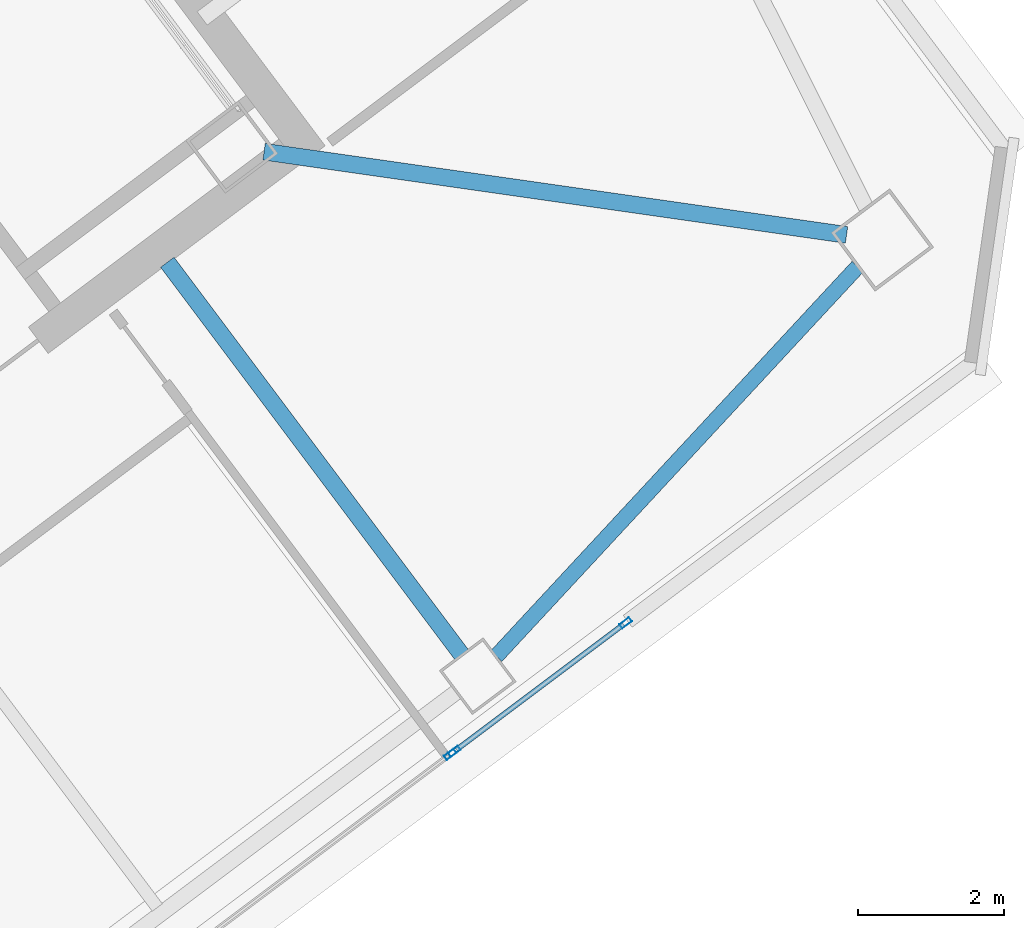
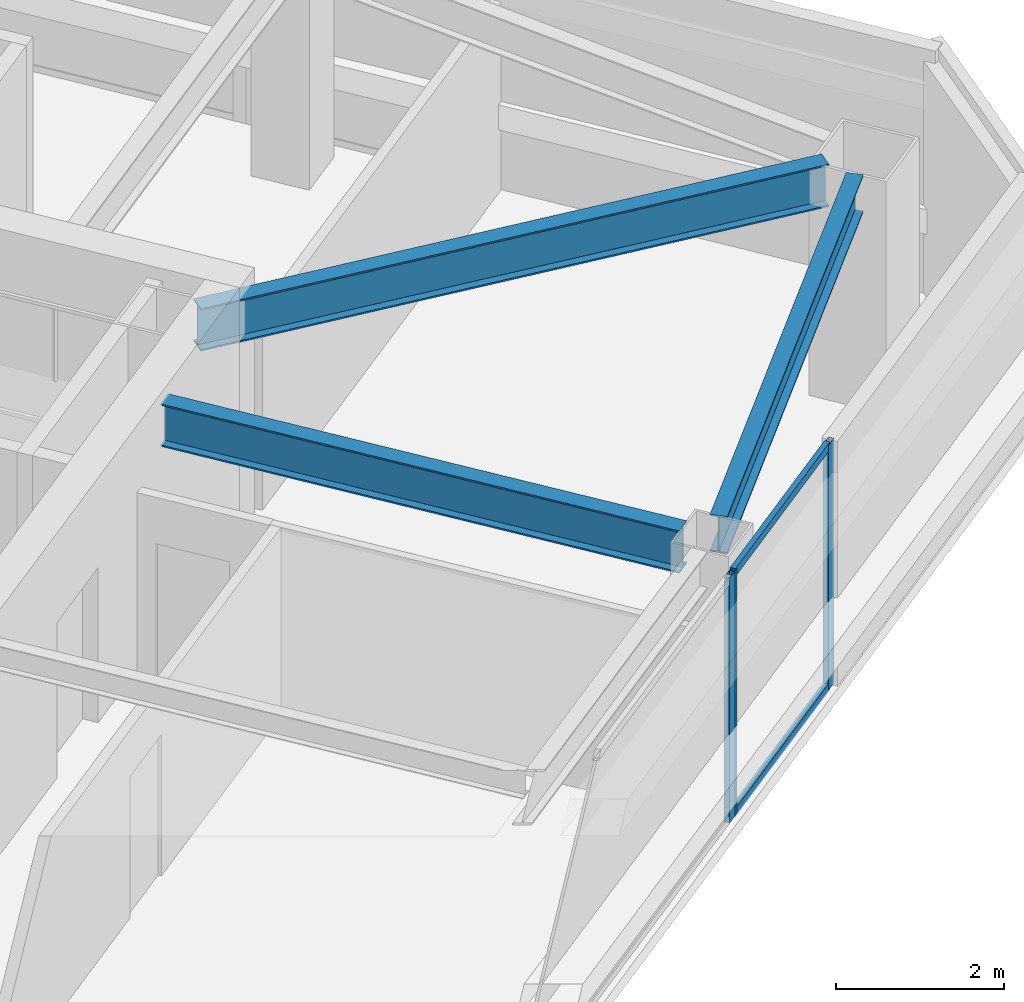
# One storey, part 23 of 40: 5 members, 3 beams, 2 elements without a shape of their own.
"""IFC4 building model written with IfcOpenShell, lengths in metres."""

import ifcopenshell
import ifcopenshell.guid

model = None  # the IFC model being written
_history = None  # IfcOwnerHistory: only IFC2X3 demands one
_inside = {}  # id of a spatial element -> (the spatial element, [elements in it])
_under = {}  # id of a project, library or spatial element -> (it, [spatial elements below it])
_declared = {}  # id of a project -> (the project, [libraries it declares])
_typed = {}  # id of a type object -> (the type object, [elements of that type])
_made_of = {}  # id of a material, layer set ... -> (it, [elements and type objects made of it])


def new_model(schema):
    """Start an empty IFC model of exactly this schema.

    Asked for "IFC4X3", IfcOpenShell would pick the latest addendum, in which some entities
    have other attributes; the version numbers below select the first issue.
    IFC2X3 requires an IfcOwnerHistory on every rooted entity: one is made here for all.
    """
    global model, _history
    if schema == "IFC4X3":
        model = ifcopenshell.file(schema_version=(4, 3, 0, 0))
    else:
        model = ifcopenshell.file(schema=schema)
    _inside.clear()
    _under.clear()
    _declared.clear()
    _typed.clear()
    _made_of.clear()
    _history = None
    if model.schema == "IFC2X3":
        org = make("IfcOrganization", Name="unknown")
        user = make(
            "IfcPersonAndOrganization",
            ThePerson=make("IfcPerson", FamilyName="unknown"),
            TheOrganization=org,
        )
        app = make(
            "IfcApplication",
            ApplicationDeveloper=org,
            Version="unknown",
            ApplicationFullName="unknown",
            ApplicationIdentifier="unknown",
        )
        _history = make(
            "IfcOwnerHistory",
            OwningUser=user,
            OwningApplication=app,
            ChangeAction="ADDED",
            CreationDate=0,
        )
    return model


def make(cls, **values):
    """One entity of the class cls with the attributes given. An attribute that is None is left unset."""
    return model.create_entity(
        cls, **{name: value for name, value in values.items() if value is not None}
    )


def rooted(cls, **values):
    """An entity with a GlobalId (a new one), such as an element, a storey or a relation."""
    return make(cls, GlobalId=ifcopenshell.guid.new(), OwnerHistory=_history, **values)


def si_unit(unit_type, name, prefix=None):
    """IfcSIUnit, for example si_unit("LENGTHUNIT", "METRE", prefix="MILLI")."""
    return make("IfcSIUnit", UnitType=unit_type, Prefix=prefix, Name=name)


def assignment(units):
    """IfcUnitAssignment: the units of a project."""
    return None if units is None else make("IfcUnitAssignment", Units=units)


def point(xyz):
    """IfcCartesianPoint."""
    return None if xyz is None else make("IfcCartesianPoint", Coordinates=xyz)


def direction(xyz):
    """IfcDirection."""
    return None if xyz is None else make("IfcDirection", DirectionRatios=xyz)


def frame(location, z_axis=None, x_axis=None):
    """IfcAxis2Placement3D, a coordinate frame: its origin and axes. An axis left out is left unset."""
    return make(
        "IfcAxis2Placement3D",
        Location=point(location),
        Axis=direction(z_axis),
        RefDirection=direction(x_axis),
    )


def frame_2d(location, x_axis=None):
    """IfcAxis2Placement2D, a coordinate frame in the plane: its origin and x axis."""
    return make(
        "IfcAxis2Placement2D", Location=point(location), RefDirection=direction(x_axis)
    )


def origin():
    """The frame at (0, 0, 0) with its axes left unset."""
    return frame((0.0, 0.0, 0.0))


def origin_2d():
    """The frame at (0, 0) in the plane with its x axis left unset."""
    return frame_2d((0.0, 0.0))


def place(relative_to, where):
    """IfcLocalPlacement: puts the frame where relative to a parent placement (None: the world)."""
    return make(
        "IfcLocalPlacement", PlacementRelTo=relative_to, RelativePlacement=where
    )


def context(
    kind, dimensions, precision=None, world=None, true_north=None, identifier=None
):
    """IfcGeometricRepresentationContext, for example the 3D "Model" context."""
    return make(
        "IfcGeometricRepresentationContext",
        ContextIdentifier=identifier,
        ContextType=kind,
        CoordinateSpaceDimension=dimensions,
        Precision=precision,
        WorldCoordinateSystem=world,
        TrueNorth=true_north,
    )


def subcontext(parent, identifier, kind, view, scale=None):
    """IfcGeometricRepresentationSubContext, for example "Body" below "Model"."""
    return make(
        "IfcGeometricRepresentationSubContext",
        ContextIdentifier=identifier,
        ContextType=kind,
        ParentContext=parent,
        TargetScale=scale,
        TargetView=view,
    )


def project(units=None, contexts=None):
    """IfcProject with its units and contexts."""
    return rooted(
        "IfcProject",
        Name="project",
        RepresentationContexts=contexts,
        UnitsInContext=assignment(units),
    )


def spatial(cls, under=None, at=None, **own):
    """A site, building, storey or space (cls), placed at a placement, below another one or the project."""
    s = rooted(cls, ObjectPlacement=at, **own)
    if under is not None:
        _under.setdefault(under.id(), (under, []))[1].append(s)
    return s


def profile(cls, at=None, kind="AREA", **sizes):
    """A parametric profile (cls). Its sizes go by their IFC names, for example OverallWidth=200.0."""
    return make(cls, ProfileType=kind, Position=at, **sizes)


def hollow_rectangle(**sizes):
    """IfcRectangleHollowProfileDef."""
    return profile("IfcRectangleHollowProfileDef", **sizes)


def i_section(**sizes):
    """IfcIShapeProfileDef."""
    return profile("IfcIShapeProfileDef", **sizes)


def extrude(swept, where, along, depth):
    """IfcExtrudedAreaSolid: the profile swept, set in the frame where, extruded along a direction by depth."""
    return make(
        "IfcExtrudedAreaSolid",
        SweptArea=swept,
        Position=where,
        ExtrudedDirection=direction(along),
        Depth=depth,
    )


def shape(context_of_items, identifier, shape_type, items):
    """IfcShapeRepresentation: the items that make up one representation, for example the "Body"."""
    return make(
        "IfcShapeRepresentation",
        ContextOfItems=context_of_items,
        RepresentationIdentifier=identifier,
        RepresentationType=shape_type,
        Items=items,
    )


def material(Name=None, Category=None):
    """IfcMaterial."""
    return make("IfcMaterial", Name=Name, Category=Category)


def material_profile(
    of_material, cross_section, Name=None, Category=None, Priority=None
):
    """IfcMaterialProfile: a cross section and its material."""
    return make(
        "IfcMaterialProfile",
        Name=Name,
        Material=of_material,
        Profile=cross_section,
        Priority=Priority,
        Category=Category,
    )


def profile_set(profiles, Name=None, composite=None):
    """IfcMaterialProfileSet."""
    return make(
        "IfcMaterialProfileSet",
        Name=Name,
        MaterialProfiles=profiles,
        CompositeProfile=composite,
    )


def made_of(thing, what):
    """Note that an element or type object is made of a material, layer set ...; save() writes the relation."""
    if what is not None:
        _made_of.setdefault(what.id(), (what, []))[1].append(thing)
    return thing


def type_object(cls, material=None, **own):
    """A type object (cls), such as IfcWallType, which elements share."""
    return made_of(rooted(cls, **own), material)


def element(
    cls,
    number,
    at=None,
    inside=None,
    cuts=None,
    type_object=None,
    material=None,
    context=None,
    identifier="Body",
    shape_type=None,
    held_by="IfcProductDefinitionShape",
    body=None,
    shapes=None,
    **own,
):
    """One element of the class cls, such as IfcWall. Its Tag is "e" and its number.

    at: its placement. inside: the storey or other place that contains it. cuts: it is an
    opening in that element (IfcRelVoidsElement). A single representation is given by context,
    identifier, shape_type and body (its items); several are given by shapes. held_by: the class
    of the entity that holds the representations. save() writes the other relations.
    """
    e = rooted(cls, Tag="e%d" % number, ObjectPlacement=at, **own)
    if body is not None:
        shapes = [shape(context, identifier, shape_type, body)]
    if shapes is not None:
        e.Representation = make(held_by, Representations=shapes)
    if inside is not None:
        _inside.setdefault(inside.id(), (inside, []))[1].append(e)
    if cuts is not None:
        rooted(
            "IfcRelVoidsElement", RelatingBuildingElement=cuts, RelatedOpeningElement=e
        )
    if type_object is not None:
        _typed.setdefault(type_object.id(), (type_object, []))[1].append(e)
    return made_of(e, material)


def aggregate(whole, parts):
    """IfcRelAggregates: a whole, such as a stair, and the parts it consists of."""
    return rooted("IfcRelAggregates", RelatingObject=whole, RelatedObjects=parts)


def save(model, path):
    """Write the relations noted so far, then the file.

    IfcRelAggregates (storeys below a building ...), IfcRelContainedInSpatialStructure (elements
    in a storey), IfcRelDefinesByType, IfcRelAssociatesMaterial and IfcRelDeclares: one each for
    every whole, place, type object, material and project.
    """
    for whole, parts in _under.values():
        aggregate(whole, parts)
    for where, things in _inside.values():
        rooted(
            "IfcRelContainedInSpatialStructure",
            RelatedElements=things,
            RelatingStructure=where,
        )
    for kind, things in _typed.values():
        rooted("IfcRelDefinesByType", RelatedObjects=things, RelatingType=kind)
    for what, things in _made_of.values():
        rooted("IfcRelAssociatesMaterial", RelatedObjects=things, RelatingMaterial=what)
    for by, libraries in _declared.values():
        rooted("IfcRelDeclares", RelatingContext=by, RelatedDefinitions=libraries)
    model.write(path)


model = new_model("IFC4")

# Units and contexts
model_context = context("Model", 3, precision=1e-05, world=origin(), true_north=direction((0.0, 1.0)))
body_context = subcontext(model_context, "Body", "Model", "MODEL_VIEW")
ifc_project = project(units=[si_unit("LENGTHUNIT", "METRE"), si_unit("AREAUNIT", "SQUARE_METRE"), si_unit("VOLUMEUNIT", "CUBIC_METRE"), si_unit("PLANEANGLEUNIT", "RADIAN"), si_unit("MASSUNIT", "GRAM", prefix="KILO")], contexts=[model_context])

# Site, building, storey
site_placement = place(None, origin())
site = spatial("IfcSite", under=ifc_project, at=site_placement, CompositionType="ELEMENT")
building_placement = place(site_placement, origin())
building = spatial("IfcBuilding", under=site, at=building_placement, Name="Tashvorn Skyway Center", CompositionType="ELEMENT")
storey_placement = place(building_placement, frame((0.0, 0.0, 221.949951171875)))
storey = spatial("IfcBuildingStorey", under=building, at=storey_placement, Name="L60", CompositionType="ELEMENT", Elevation=221.949951171875)

# Beams
ifc_material_1 = material(Name="Steel ASTM A992 Grade 50", Category="steel")
ifc_material_profile_1 = material_profile(ifc_material_1, i_section(OverallWidth=0.22998046875, OverallDepth=0.616943359375, WebThickness=0.01318359375, FlangeThickness=0.022216796875, at=origin_2d()), Name="W24X94")
ifc_profile_set_1 = profile_set([ifc_material_profile_1], Name="Steel ASTM A992 Grade 50")
beam_type_1 = type_object("IfcBeamType", Name="BM-BEAM-W24X94", PredefinedType="BEAM", material=ifc_profile_set_1)
beam_1_placement = place(storey_placement, frame((132.27001953125, 29.389892578125, 3.0615234375), z_axis=(-0.989947064346, 0.141438360399, 0.0), x_axis=(-0.141438360399, -0.989947064346, 0.0)))
element("IfcBeam", 1, at=beam_1_placement, inside=storey, type_object=beam_type_1, Name="Tower 2 L60 Primary Floor Girder MC-SE", PredefinedType="BEAM", context=body_context, shape_type="SweptSolid", body=[
    extrude(i_section(OverallWidth=0.22998046875, OverallDepth=0.616943359375, WebThickness=0.01318359375, FlangeThickness=0.022216796875, at=origin_2d()), origin(), (0.0, 0.0, 1.0), 8.040283203125),
])
beam_2_placement = place(storey_placement, frame((127.008056640625, 23.656005859375, 3.0615234375), z_axis=(-0.599994169845, 0.800004372583, 0.0), x_axis=(-0.800004372583, -0.599994169845, 0.0)))
element("IfcBeam", 2, at=beam_2_placement, inside=storey, type_object=beam_type_1, Name="Tower 2 L60 Primary Floor Girder FC-S2", PredefinedType="BEAM", context=body_context, shape_type="SweptSolid", body=[
    extrude(i_section(OverallWidth=0.22998046875, OverallDepth=0.616943359375, WebThickness=0.01318359375, FlangeThickness=0.022216796875, at=origin_2d()), origin(), (0.0, 0.0, 1.0), 6.7001953125),
])
ifc_material_profile_2 = material_profile(ifc_material_1, i_section(OverallWidth=0.2109375, OverallDepth=0.5390625, WebThickness=0.01171875, FlangeThickness=0.018798828125, at=origin_2d()), Name="W21X73")
ifc_profile_set_2 = profile_set([ifc_material_profile_2], Name="Steel ASTM A992 Grade 50")
beam_type_2 = type_object("IfcBeamType", Name="BM-SPANDREL-W21X73", PredefinedType="SPANDREL", material=ifc_profile_set_2)
beam_3_placement = place(storey_placement, frame((127.481689453125, 23.63134765625, 3.1005859375), z_axis=(0.680182956622, 0.733042389989, 0.0), x_axis=(-0.733042389989, 0.680182956622, 0.0)))
element("IfcBeam", 3, at=beam_3_placement, inside=storey, type_object=beam_type_2, Name="Tower 2 L60 Spandrel Beam 03", PredefinedType="SPANDREL", context=body_context, shape_type="SweptSolid", body=[
    extrude(i_section(OverallWidth=0.2109375, OverallDepth=0.5390625, WebThickness=0.01171875, FlangeThickness=0.018798828125, at=origin_2d()), origin(), (0.0, 0.0, 1.0), 7.26513671875),
])

# Curtain wall, members
ifc_material_2 = material(Name="Thermally broken bronze-anodized aluminium 6063-T6", Category="aluminium")
curtain_wall_type = type_object("IfcCurtainWallType", Name="CW-CW-Z5", PredefinedType="NOTDEFINED", material=ifc_material_2)
curtain_wall_1_placement = place(storey_placement, origin())
curtain_wall_1 = element("IfcCurtainWall", 4, at=curtain_wall_1_placement, inside=storey, type_object=curtain_wall_type, Name="Tower 2 L60 South Unitised Curtain Wall Glazing Group 1", PredefinedType="NOTDEFINED")
ifc_material_profile_3 = material_profile(ifc_material_2, hollow_rectangle(XDim=0.070068359375, YDim=0.1650390625, WallThickness=0.00390625, at=origin_2d()), Name="ALU-MULL-70x165")
ifc_profile_set_3 = profile_set([ifc_material_profile_3], Name="Thermally broken bronze-anodized aluminium 6063-T6")
member_type_1 = type_object("IfcMemberType", Name="CWM-CW-Z5", PredefinedType="MULLION", material=ifc_profile_set_3)
member_1_placement = place(storey_placement, frame((129.251220703125, 24.08837890625, 0.0), z_axis=(0.0, 0.0, 1.0), x_axis=(0.600000000002, -0.799999999998, 0.0)))
member_1 = element("IfcMember", 5, at=member_1_placement, type_object=member_type_1, Name="CW-Z5 mullion 1", PredefinedType="MULLION", context=body_context, shape_type="SweptSolid", body=[
    extrude(hollow_rectangle(XDim=0.070068359375, YDim=0.1650390625, WallThickness=0.00390625, at=origin_2d()), origin(), (0.0, 0.0, 1.0), 3.550048828125),
])
member_2_placement = place(storey_placement, frame((126.91064453125, 22.3330078125, 0.0), z_axis=(0.0, 0.0, 1.0), x_axis=(0.600000000002, -0.799999999998, 0.0)))
member_2 = element("IfcMember", 6, at=member_2_placement, type_object=member_type_1, Name="CW-Z5 mullion 2", PredefinedType="MULLION", context=body_context, shape_type="SweptSolid", body=[
    extrude(hollow_rectangle(XDim=0.070068359375, YDim=0.1650390625, WallThickness=0.00390625, at=origin_2d()), origin(), (0.0, 0.0, 1.0), 3.550048828125),
])

# Curtain wall, member
curtain_wall_2_placement = place(storey_placement, origin())
curtain_wall_2 = element("IfcCurtainWall", 7, at=curtain_wall_2_placement, inside=storey, type_object=curtain_wall_type, Name="Tower 2 L60 South Unitised Curtain Wall Glazing Group 2", PredefinedType="NOTDEFINED")
member_3_placement = place(storey_placement, frame((126.854736328125, 22.291015625, 0.0), z_axis=(0.0, 0.0, 1.0), x_axis=(0.599996439189, -0.800002670596, 0.0)))
member_3 = element("IfcMember", 8, at=member_3_placement, type_object=member_type_1, Name="CW-Z5 mullion 1", PredefinedType="MULLION", context=body_context, shape_type="SweptSolid", body=[
    extrude(hollow_rectangle(XDim=0.070068359375, YDim=0.1650390625, WallThickness=0.00390625, at=origin_2d()), origin(), (0.0, 0.0, 1.0), 3.550048828125),
])
aggregate(curtain_wall_2, [member_3])

# Member
ifc_material_profile_4 = material_profile(ifc_material_2, hollow_rectangle(XDim=0.070068359375, YDim=0.114990234375, WallThickness=0.00390625, at=origin_2d()), Name="ALU-TRAN-70x115")
ifc_profile_set_4 = profile_set([ifc_material_profile_4], Name="Thermally broken bronze-anodized aluminium 6063-T6")
member_type_2 = type_object("IfcMemberType", Name="CWT-CW-Z5", PredefinedType="USERDEFINED", material=ifc_profile_set_4)
member_4_placement = place(storey_placement, frame((129.22314453125, 24.0673828125, 0.03515625), z_axis=(-0.799989740316, -0.600013679335, 0.0), x_axis=(0.600013679335, -0.799989740316, 0.0)))
member_4 = element("IfcMember", 9, at=member_4_placement, type_object=member_type_2, Name="CW-Z5 transom 1.1", ObjectType="TRANSOM", PredefinedType="USERDEFINED", context=body_context, shape_type="SweptSolid", body=[
    extrude(hollow_rectangle(XDim=0.070068359375, YDim=0.114990234375, WallThickness=0.00390625, at=origin_2d()), origin(), (0.0, 0.0, 1.0), 2.85546875),
])

member_5_placement = place(storey_placement, frame((129.22314453125, 24.0673828125, 3.51513671875), z_axis=(-0.799989740316, -0.600013679335, 0.0), x_axis=(0.600013679335, -0.799989740316, 0.0)))
member_5 = element("IfcMember", 10, at=member_5_placement, type_object=member_type_2, Name="CW-Z5 transom 1.2", ObjectType="TRANSOM", PredefinedType="USERDEFINED", context=body_context, shape_type="SweptSolid", body=[
    extrude(hollow_rectangle(XDim=0.070068359375, YDim=0.114990234375, WallThickness=0.00390625, at=origin_2d()), origin(), (0.0, 0.0, 1.0), 2.85546875),
])

aggregate(curtain_wall_1, [member_1, member_2, member_4, member_5])

save(model, "model.ifc")
